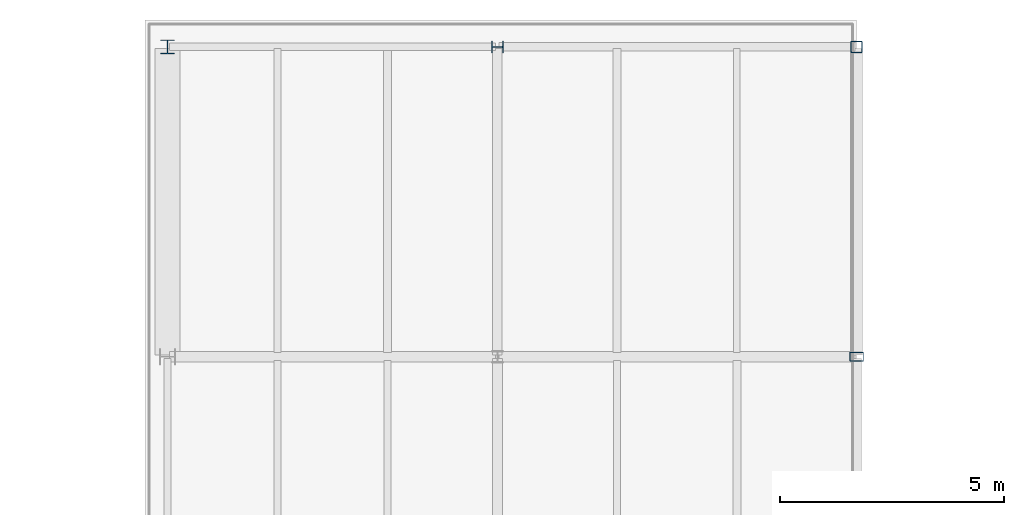
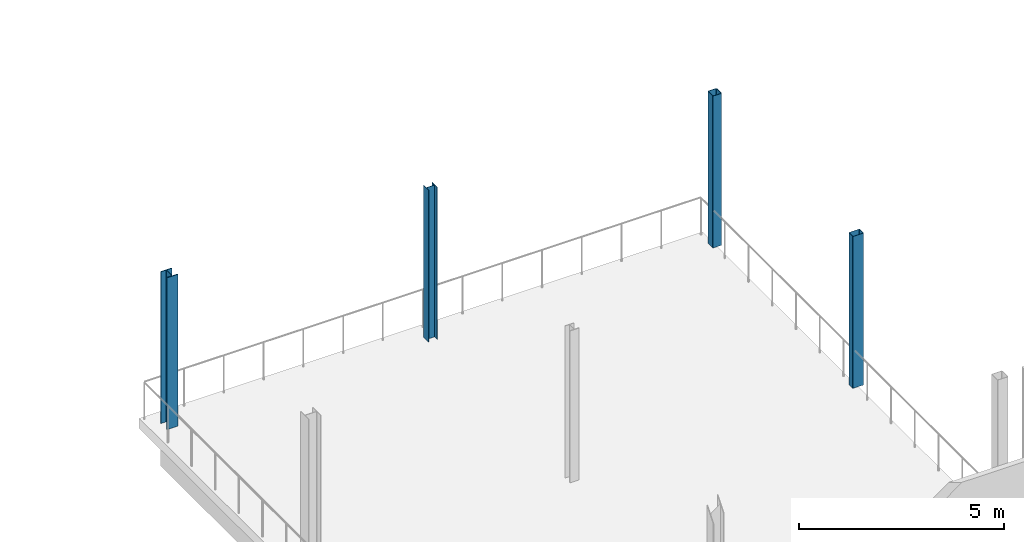
# One storey, part 25 of 93: 4 columns.
"""IFC4 building model written with IfcOpenShell, lengths in metres."""

from ifc_helpers import new_model, si_unit, direction, frame, origin, origin_2d, place, context, subcontext, project, spatial, hollow_rectangle, i_section, extrude, material, material_profile, profile_set, type_object, element, save


model = new_model("IFC4")

# Units and contexts
model_context = context("Model", 3, precision=1e-05, world=origin(), true_north=direction((0.0, 1.0)))
body_context = subcontext(model_context, "Body", "Model", "MODEL_VIEW")
ifc_project = project(units=[si_unit("LENGTHUNIT", "METRE"), si_unit("AREAUNIT", "SQUARE_METRE"), si_unit("VOLUMEUNIT", "CUBIC_METRE"), si_unit("PLANEANGLEUNIT", "RADIAN"), si_unit("MASSUNIT", "GRAM", prefix="KILO")], contexts=[model_context])

# Site, building, storey
site_placement = place(None, origin())
site = spatial("IfcSite", under=ifc_project, at=site_placement, CompositionType="ELEMENT")
building_placement = place(site_placement, origin())
building = spatial("IfcBuilding", under=site, at=building_placement, Name="Brisemont Oceanarium", CompositionType="ELEMENT")
storey_placement = place(building_placement, frame((0.0, 0.0, 5.39990234375)))
storey = spatial("IfcBuildingStorey", under=building, at=storey_placement, Name="L01", CompositionType="ELEMENT", Elevation=5.39990234375)

# Columns
ifc_material_1 = material(Name="Structural Steel ASTM A500 Gr.C", Category="steel")
ifc_material_profile_1 = material_profile(ifc_material_1, hollow_rectangle(XDim=0.25390625, YDim=0.25390625, WallThickness=0.01171875, InnerFilletRadius=0.01220703125, OuterFilletRadius=0.02392578125, at=origin_2d()), Name="HSS10X10X1/2")
ifc_profile_set_1 = profile_set([ifc_material_profile_1], Name="Structural Steel ASTM A500 Gr.C")
column_type_1 = type_object("IfcColumnType", Name="COL-HSS10X10", PredefinedType="COLUMN", material=ifc_profile_set_1)
column_1_placement = place(storey_placement, frame((128.0, 107.39990234375, 0.0), z_axis=(0.0, 0.0, 1.0), x_axis=(1.0, 0.0, 0.0)))
element("IfcColumn", 1, at=column_1_placement, inside=storey, type_object=column_type_1, Name="V6 L01 column (2,4)", PredefinedType="COLUMN", context=body_context, shape_type="SweptSolid", body=[
    extrude(hollow_rectangle(XDim=0.25390625, YDim=0.25390625, WallThickness=0.01171875, InnerFilletRadius=0.01220703125, OuterFilletRadius=0.02392578125, at=origin_2d()), origin(), (0.0, 0.0, 1.0), 4.52001953125),
])
ifc_material_2 = material(Name="Structural Steel ASTM A500 Gr.C", Category="steel")
ifc_material_profile_2 = material_profile(ifc_material_2, hollow_rectangle(XDim=0.202880859375, YDim=0.304931640625, WallThickness=0.0087890625, InnerFilletRadius=0.009033203125, OuterFilletRadius=0.01806640625, at=origin_2d()), Name="HSS12X8X3/8")
ifc_profile_set_2 = profile_set([ifc_material_profile_2], Name="Structural Steel ASTM A500 Gr.C")
column_type_2 = type_object("IfcColumnType", Name="COL-HSS12X8", PredefinedType="COLUMN", material=ifc_profile_set_2)
column_2_placement = place(storey_placement, frame((128.0, 100.5, 0.0), z_axis=(0.0, 0.0, 1.0), x_axis=(0.0, 1.0, 0.0)))
element("IfcColumn", 2, at=column_2_placement, inside=storey, type_object=column_type_2, Name="V6 L01 column (2,3)", PredefinedType="COLUMN", context=body_context, shape_type="SweptSolid", body=[
    extrude(hollow_rectangle(XDim=0.202880859375, YDim=0.304931640625, WallThickness=0.0087890625, InnerFilletRadius=0.009033203125, OuterFilletRadius=0.01806640625, at=origin_2d()), origin(), (0.0, 0.0, 1.0), 4.52001953125),
])
ifc_material_3 = material(Name="Structural Steel ASTM A992 Gr.50", Category="steel")
ifc_material_profile_3 = material_profile(ifc_material_3, i_section(OverallWidth=0.25390625, OverallDepth=0.25390625, WebThickness=0.008544921875, FlangeThickness=0.01416015625, FilletRadius=0.010986328125, at=origin_2d()), Name="W10X49")
ifc_profile_set_3 = profile_set([ifc_material_profile_3], Name="Structural Steel ASTM A992 Gr.50")
column_type_3 = type_object("IfcColumnType", Name="COL-W10X49", PredefinedType="COLUMN", material=ifc_profile_set_3)
column_3_placement = place(storey_placement, frame((120.0, 107.39990234375, 0.0), z_axis=(0.0, 0.0, 1.0), x_axis=(0.0, 1.0, 0.0)))
element("IfcColumn", 3, at=column_3_placement, inside=storey, type_object=column_type_3, Name="V6 L01 column (1,4)", PredefinedType="COLUMN", context=body_context, shape_type="SweptSolid", body=[
    extrude(i_section(OverallWidth=0.25390625, OverallDepth=0.25390625, WebThickness=0.008544921875, FlangeThickness=0.01416015625, FilletRadius=0.010986328125, at=origin_2d()), origin(), (0.0, 0.0, 1.0), 4.52001953125),
])
ifc_material_4 = material(Name="Structural Steel ASTM A992 Gr.50", Category="steel")
ifc_material_profile_4 = material_profile(ifc_material_4, i_section(OverallWidth=0.30810546875, OverallDepth=0.318115234375, WebThickness=0.01318359375, FlangeThickness=0.0205078125, FilletRadius=0.012939453125, at=origin_2d()), Name="W12X87")
ifc_profile_set_4 = profile_set([ifc_material_profile_4], Name="Structural Steel ASTM A992 Gr.50")
column_type_4 = type_object("IfcColumnType", Name="COL-W12X87", PredefinedType="COLUMN", material=ifc_profile_set_4)
column_4_placement = place(storey_placement, frame((112.64990234375, 107.39990234375, 0.0), z_axis=(0.0, 0.0, 1.0), x_axis=(1.0, 0.0, 0.0)))
element("IfcColumn", 4, at=column_4_placement, inside=storey, type_object=column_type_4, Name="V6 L01 column (0,4)", PredefinedType="COLUMN", context=body_context, shape_type="SweptSolid", body=[
    extrude(i_section(OverallWidth=0.30810546875, OverallDepth=0.318115234375, WebThickness=0.01318359375, FlangeThickness=0.0205078125, FilletRadius=0.012939453125, at=origin_2d()), origin(), (0.0, 0.0, 1.0), 4.52001953125),
])

save(model, "model.ifc")
